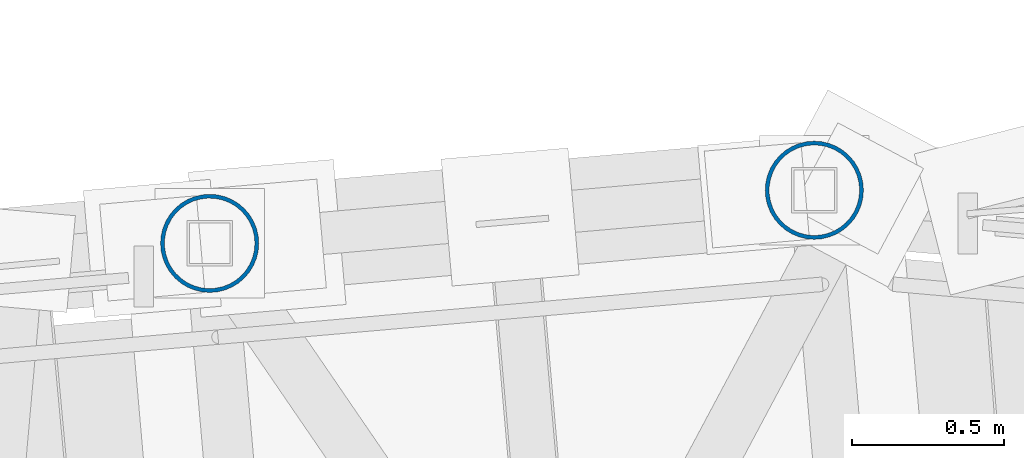
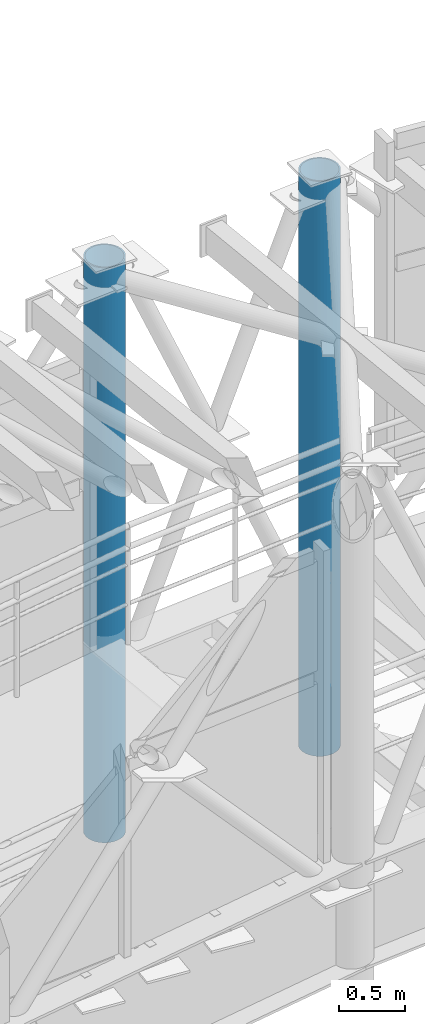
# One storey, part 19 of 144: 2 columns.
"""IFC4 building model written with IfcOpenShell, lengths in metres."""

from ifc_helpers import new_model, si_unit, direction, frame, origin, origin_2d, place, context, subcontext, project, spatial, hollow_circle, extrude, material, material_profile, profile_set, type_object, element, save


model = new_model("IFC4")

# Units and contexts
model_context = context("Model", 3, precision=1e-05, world=origin(), true_north=direction((0.0, 1.0)))
body_context = subcontext(model_context, "Body", "Model", "MODEL_VIEW")
ifc_project = project(units=[si_unit("LENGTHUNIT", "METRE"), si_unit("AREAUNIT", "SQUARE_METRE"), si_unit("VOLUMEUNIT", "CUBIC_METRE"), si_unit("PLANEANGLEUNIT", "RADIAN"), si_unit("MASSUNIT", "GRAM", prefix="KILO")], contexts=[model_context])

# Site, building, storey
site_placement = place(None, origin())
site = spatial("IfcSite", under=ifc_project, at=site_placement, CompositionType="ELEMENT")
building_placement = place(site_placement, origin())
building = spatial("IfcBuilding", under=site, at=building_placement, Name="Cinderbank Siding Concert Hall", CompositionType="ELEMENT")
storey_placement = place(building_placement, frame((0.0, 0.0, 5.39990234375)))
storey = spatial("IfcBuildingStorey", under=building, at=storey_placement, Name="L02", CompositionType="ELEMENT", Elevation=5.39990234375)

# Columns
ifc_material = material(Name="Structural steel hollow section AS/NZS 1163 Grade C350L0 (350 MPa)", Category="steel")
ifc_material_profile = material_profile(ifc_material, hollow_circle(Radius=0.161865234375, WallThickness=0.0126953125, at=origin_2d()), Name="323.9x12.7CHS", Category="LoadBearing")
ifc_profile_set = profile_set([ifc_material_profile], Name="Structural steel hollow section AS/NZS 1163 Grade C350L0 (350 MPa)")
column_type = type_object("IfcColumnType", Name="C-CHS323 323.9x12.7CHS", PredefinedType="COLUMN", material=ifc_profile_set)
for number, where, z_axis, x_axis, name in (
    (1, (77.200927734375, 102.260986328125, 0.0), (0.0, 0.0, 1.0), (1.0, 0.0, 0.0), "L02 Column COL-BRL-03"),
    (2, (79.194091796875, 102.43603515625, 0.0), (0.0, 0.0, 1.0), (1.0, 0.0, 0.0), "L02 Column COL-BRL-04"),
):
    element("IfcColumn", number, at=place(storey_placement, frame(where, z_axis=z_axis, x_axis=x_axis)), inside=storey, type_object=column_type, Name=name, PredefinedType="COLUMN", context=body_context, shape_type="SweptSolid", body=[
        extrude(hollow_circle(Radius=0.161865234375, WallThickness=0.0126953125, at=origin_2d()), origin(), (0.0, 0.0, 1.0), 5.35009765625),
    ])

save(model, "model.ifc")
